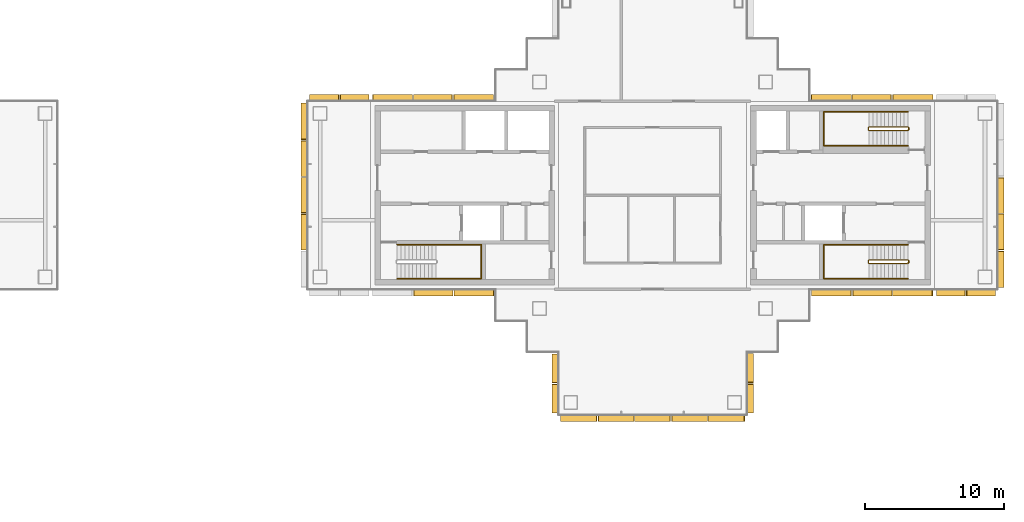
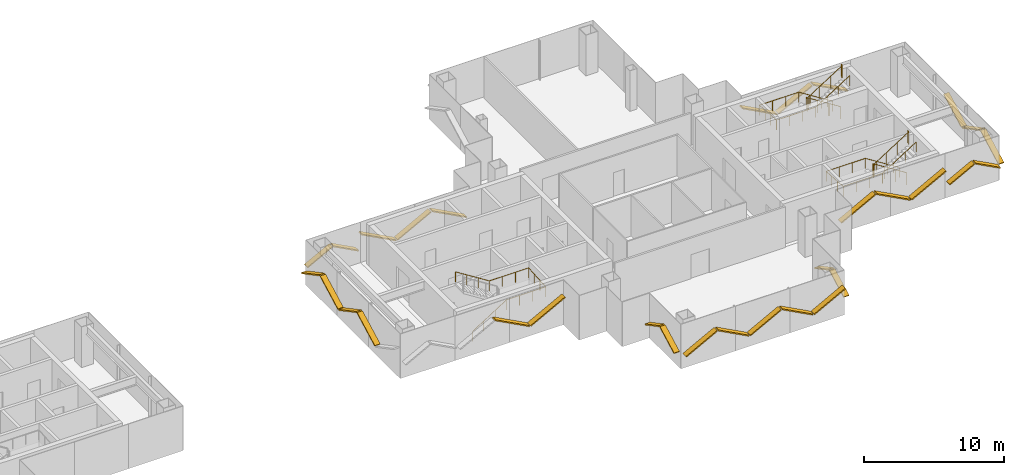
# One storey, part 15 of 17: 31 shading devices, 5 railings.
"""IFC4 building model written with IfcOpenShell, lengths in metres."""

from ifc_helpers import new_model, si_unit, direction, frame, origin, origin_2d, place, context, subcontext, project, spatial, rectangle, circle, extrude, material, material_profile, profile_set, type_object, element, save


model = new_model("IFC4")

# Units and contexts
model_context = context("Model", 3, precision=1e-05, world=origin(), true_north=direction((0.0, 1.0)))
body_context = subcontext(model_context, "Body", "Model", "MODEL_VIEW")
ifc_project = project(units=[si_unit("LENGTHUNIT", "METRE"), si_unit("AREAUNIT", "SQUARE_METRE"), si_unit("VOLUMEUNIT", "CUBIC_METRE"), si_unit("PLANEANGLEUNIT", "RADIAN"), si_unit("MASSUNIT", "GRAM", prefix="KILO")], contexts=[model_context])

# Site, building, storey
site_placement = place(None, origin())
site = spatial("IfcSite", under=ifc_project, at=site_placement, CompositionType="ELEMENT")
building_placement = place(site_placement, origin())
building = spatial("IfcBuilding", under=site, at=building_placement, Name="Shamsa Quay Exchange Towers", CompositionType="ELEMENT")
storey_placement = place(building_placement, frame((0.0, 0.0, 217.800048828125)))
storey = spatial("IfcBuildingStorey", under=building, at=storey_placement, Name="L52", CompositionType="ELEMENT", Elevation=217.800048828125)

# Shading devices
ifc_material_1 = material(Name="Aluminium EN AW-6063 T6, black anodised", Category="aluminium")
ifc_material_profile = material_profile(ifc_material_1, rectangle(XDim=0.449951171875, YDim=0.10009765625, at=origin_2d()), Name="FIN450x100")
ifc_profile_set = profile_set([ifc_material_profile], Name="Aluminium EN AW-6063 T6, black anodised")
shading_device_type = type_object("IfcShadingDeviceType", Name="FIN 450x100 BLACK ALUMINIUM", PredefinedType="USERDEFINED", material=ifc_profile_set)
shading_device_1_placement = place(storey_placement, frame((45.18798828125, -7.01904296875, 0.845703125), z_axis=(0.882964189293, 0.0, 0.469440348102), x_axis=(0.0, 1.0, 0.0)))
element("IfcShadingDevice", 1, at=shading_device_1_placement, inside=storey, type_object=shading_device_type, Name="FIN T2 chevron rib", ObjectType="FIN", PredefinedType="USERDEFINED", context=body_context, shape_type="SweptSolid", body=[
    extrude(rectangle(XDim=0.449951171875, YDim=0.10009765625, at=origin_2d()), origin(), (0.0, 0.0, 1.0), 3.21337890625),
])
shading_device_2_placement = place(storey_placement, frame((48.125244140625, -7.01904296875, 2.341064453125), z_axis=(0.882932416125, 0.0, -0.469500104957), x_axis=(0.0, 1.0, 0.0)))
element("IfcShadingDevice", 2, at=shading_device_2_placement, inside=storey, type_object=shading_device_type, Name="FIN T2 chevron rib", ObjectType="FIN", PredefinedType="USERDEFINED", context=body_context, shape_type="SweptSolid", body=[
    extrude(rectangle(XDim=0.449951171875, YDim=0.10009765625, at=origin_2d()), origin(), (0.0, 0.0, 1.0), 3.156982421875),
])
shading_device_3_placement = place(storey_placement, frame((51.0126953125, -7.01904296875, 0.845703125), z_axis=(0.882964189293, 0.0, 0.469440348102), x_axis=(0.0, 1.0, 0.0)))
element("IfcShadingDevice", 3, at=shading_device_3_placement, inside=storey, type_object=shading_device_type, Name="FIN T2 chevron rib", ObjectType="FIN", PredefinedType="USERDEFINED", context=body_context, shape_type="SweptSolid", body=[
    extrude(rectangle(XDim=0.449951171875, YDim=0.10009765625, at=origin_2d()), origin(), (0.0, 0.0, 1.0), 3.21337890625),
])
for number, where, z_axis, x_axis, name in (
    (4, (54.14990234375, -7.014892578125, 1.054931640625), (0.882937310539, 0.0, 0.469490900507), (0.0, 1.0, 0.0), "FIN T2 chevron rib"),
    (5, (56.300048828125, -7.014892578125, 2.14501953125), (0.882937310539, 0.0, -0.469490900507), (0.0, 1.0, 0.0), "FIN T2 chevron rib"),
):
    element("IfcShadingDevice", number, at=place(storey_placement, frame(where, z_axis=z_axis, x_axis=x_axis)), inside=storey, type_object=shading_device_type, Name=name, ObjectType="FIN", PredefinedType="USERDEFINED", context=body_context, shape_type="SweptSolid", body=[
        extrude(rectangle(XDim=0.449951171875, YDim=0.10009765625, at=origin_2d()), origin(), (0.0, 0.0, 1.0), 2.32177734375),
    ])
shading_device_4_placement = place(storey_placement, frame((58.764892578125, -6.60009765625, 0.911376953125), z_axis=(0.0, 0.882944327895, 0.469477703238), x_axis=(-1.0, 0.0, 0.0)))
element("IfcShadingDevice", 6, at=shading_device_4_placement, inside=storey, type_object=shading_device_type, Name="FIN T2 chevron rib", ObjectType="FIN", PredefinedType="USERDEFINED", context=body_context, shape_type="SweptSolid", body=[
    extrude(rectangle(XDim=0.449951171875, YDim=0.10009765625, at=origin_2d()), origin(), (0.0, 0.0, 1.0), 2.933349609375),
])
shading_device_5_placement = place(storey_placement, frame((58.764892578125, -3.909912109375, 2.275146484375), z_axis=(0.0, 0.882925540975, -0.469513033997), x_axis=(-1.0, 0.0, 0.0)))
element("IfcShadingDevice", 7, at=shading_device_5_placement, inside=storey, type_object=shading_device_type, Name="FIN T2 chevron rib", ObjectType="FIN", PredefinedType="USERDEFINED", context=body_context, shape_type="SweptSolid", body=[
    extrude(rectangle(XDim=0.449951171875, YDim=0.10009765625, at=origin_2d()), origin(), (0.0, 0.0, 1.0), 2.87646484375),
])
shading_device_6_placement = place(storey_placement, frame((58.764892578125, -1.27001953125, 0.924560546875), z_axis=(0.0, 0.882944248312, 0.469477852909), x_axis=(-1.0, 0.0, 0.0)))
element("IfcShadingDevice", 8, at=shading_device_6_placement, inside=storey, type_object=shading_device_type, Name="FIN T2 chevron rib", ObjectType="FIN", PredefinedType="USERDEFINED", context=body_context, shape_type="SweptSolid", body=[
    extrude(rectangle(XDim=0.449951171875, YDim=0.10009765625, at=origin_2d()), origin(), (0.0, 0.0, 1.0), 2.876708984375),
])
shading_device_7_placement = place(storey_placement, frame((53.85009765625, 7.01904296875, 0.84228515625), z_axis=(-0.882953107739, 0.0, 0.469461190658), x_axis=(0.0, -1.0, 0.0)))
element("IfcShadingDevice", 9, at=shading_device_7_placement, inside=storey, type_object=shading_device_type, Name="FIN T2 chevron rib", ObjectType="FIN", PredefinedType="USERDEFINED", context=body_context, shape_type="SweptSolid", body=[
    extrude(rectangle(XDim=0.449951171875, YDim=0.10009765625, at=origin_2d()), origin(), (0.0, 0.0, 1.0), 3.22802734375),
])
shading_device_8_placement = place(storey_placement, frame((50.89990234375, 7.01904296875, 2.34423828125), z_axis=(-0.882936223509, 0.0, -0.469492944799), x_axis=(0.0, -1.0, 0.0)))
element("IfcShadingDevice", 10, at=shading_device_8_placement, inside=storey, type_object=shading_device_type, Name="FIN T2 chevron rib", ObjectType="FIN", PredefinedType="USERDEFINED", context=body_context, shape_type="SweptSolid", body=[
    extrude(rectangle(XDim=0.449951171875, YDim=0.10009765625, at=origin_2d()), origin(), (0.0, 0.0, 1.0), 3.1708984375),
])
shading_device_9_placement = place(storey_placement, frame((48.0, 7.01904296875, 0.84228515625), z_axis=(-0.882953107739, 0.0, 0.469461190658), x_axis=(0.0, -1.0, 0.0)))
element("IfcShadingDevice", 11, at=shading_device_9_placement, inside=storey, type_object=shading_device_type, Name="FIN T2 chevron rib", ObjectType="FIN", PredefinedType="USERDEFINED", context=body_context, shape_type="SweptSolid", body=[
    extrude(rectangle(XDim=0.449951171875, YDim=0.10009765625, at=origin_2d()), origin(), (0.0, 0.0, 1.0), 3.22802734375),
])
shading_device_10_placement = place(storey_placement, frame((22.31201171875, 7.01904296875, 0.845703125), z_axis=(-0.882964189293, 0.0, 0.469440348102), x_axis=(0.0, -1.0, 0.0)))
element("IfcShadingDevice", 12, at=shading_device_10_placement, inside=storey, type_object=shading_device_type, Name="FIN T2 chevron rib", ObjectType="FIN", PredefinedType="USERDEFINED", context=body_context, shape_type="SweptSolid", body=[
    extrude(rectangle(XDim=0.449951171875, YDim=0.10009765625, at=origin_2d()), origin(), (0.0, 0.0, 1.0), 3.21337890625),
])
shading_device_11_placement = place(storey_placement, frame((19.374755859375, 7.01904296875, 2.341064453125), z_axis=(-0.882932416125, 0.0, -0.469500104957), x_axis=(0.0, -1.0, 0.0)))
element("IfcShadingDevice", 13, at=shading_device_11_placement, inside=storey, type_object=shading_device_type, Name="FIN T2 chevron rib", ObjectType="FIN", PredefinedType="USERDEFINED", context=body_context, shape_type="SweptSolid", body=[
    extrude(rectangle(XDim=0.449951171875, YDim=0.10009765625, at=origin_2d()), origin(), (0.0, 0.0, 1.0), 3.156982421875),
])
shading_device_12_placement = place(storey_placement, frame((16.4873046875, 7.01904296875, 0.845703125), z_axis=(-0.882964189293, 0.0, 0.469440348102), x_axis=(0.0, -1.0, 0.0)))
element("IfcShadingDevice", 14, at=shading_device_12_placement, inside=storey, type_object=shading_device_type, Name="FIN T2 chevron rib", ObjectType="FIN", PredefinedType="USERDEFINED", context=body_context, shape_type="SweptSolid", body=[
    extrude(rectangle(XDim=0.449951171875, YDim=0.10009765625, at=origin_2d()), origin(), (0.0, 0.0, 1.0), 3.21337890625),
])
for number, where, z_axis, x_axis, name in (
    (15, (13.35009765625, 7.014892578125, 1.054931640625), (-0.882937310539, 0.0, 0.469490900507), (0.0, -1.0, 0.0), "FIN T2 chevron rib"),
    (16, (11.199951171875, 7.014892578125, 2.14501953125), (-0.882937310539, 0.0, -0.469490900507), (0.0, -1.0, 0.0), "FIN T2 chevron rib"),
):
    element("IfcShadingDevice", number, at=place(storey_placement, frame(where, z_axis=z_axis, x_axis=x_axis)), inside=storey, type_object=shading_device_type, Name=name, ObjectType="FIN", PredefinedType="USERDEFINED", context=body_context, shape_type="SweptSolid", body=[
        extrude(rectangle(XDim=0.449951171875, YDim=0.10009765625, at=origin_2d()), origin(), (0.0, 0.0, 1.0), 2.32177734375),
    ])
shading_device_13_placement = place(storey_placement, frame((8.735107421875, 6.60009765625, 0.911376953125), z_axis=(0.0, -0.882944327895, 0.469477703238), x_axis=(1.0, 0.0, 0.0)))
element("IfcShadingDevice", 17, at=shading_device_13_placement, inside=storey, type_object=shading_device_type, Name="FIN T2 chevron rib", ObjectType="FIN", PredefinedType="USERDEFINED", context=body_context, shape_type="SweptSolid", body=[
    extrude(rectangle(XDim=0.449951171875, YDim=0.10009765625, at=origin_2d()), origin(), (0.0, 0.0, 1.0), 2.933349609375),
])
shading_device_14_placement = place(storey_placement, frame((8.735107421875, 3.909912109375, 2.275146484375), z_axis=(0.0, -0.882925540975, -0.469513033997), x_axis=(1.0, 0.0, 0.0)))
element("IfcShadingDevice", 18, at=shading_device_14_placement, inside=storey, type_object=shading_device_type, Name="FIN T2 chevron rib", ObjectType="FIN", PredefinedType="USERDEFINED", context=body_context, shape_type="SweptSolid", body=[
    extrude(rectangle(XDim=0.449951171875, YDim=0.10009765625, at=origin_2d()), origin(), (0.0, 0.0, 1.0), 2.87646484375),
])
shading_device_15_placement = place(storey_placement, frame((8.735107421875, 1.27001953125, 0.924560546875), z_axis=(0.0, -0.882944248312, 0.469477852909), x_axis=(1.0, 0.0, 0.0)))
element("IfcShadingDevice", 19, at=shading_device_15_placement, inside=storey, type_object=shading_device_type, Name="FIN T2 chevron rib", ObjectType="FIN", PredefinedType="USERDEFINED", context=body_context, shape_type="SweptSolid", body=[
    extrude(rectangle(XDim=0.449951171875, YDim=0.10009765625, at=origin_2d()), origin(), (0.0, 0.0, 1.0), 2.876708984375),
])
shading_device_16_placement = place(storey_placement, frame((8.735107421875, -1.3701171875, 2.275146484375), z_axis=(0.0, -0.882925540975, -0.469513033997), x_axis=(1.0, 0.0, 0.0)))
element("IfcShadingDevice", 20, at=shading_device_16_placement, inside=storey, type_object=shading_device_type, Name="FIN T2 chevron rib", ObjectType="FIN", PredefinedType="USERDEFINED", context=body_context, shape_type="SweptSolid", body=[
    extrude(rectangle(XDim=0.449951171875, YDim=0.10009765625, at=origin_2d()), origin(), (0.0, 0.0, 1.0), 2.87646484375),
])
shading_device_17_placement = place(storey_placement, frame((16.60009765625, -7.01904296875, 2.34423828125), z_axis=(0.882936223509, 0.0, -0.469492944799), x_axis=(0.0, 1.0, 0.0)))
element("IfcShadingDevice", 21, at=shading_device_17_placement, inside=storey, type_object=shading_device_type, Name="FIN T2 chevron rib", ObjectType="FIN", PredefinedType="USERDEFINED", context=body_context, shape_type="SweptSolid", body=[
    extrude(rectangle(XDim=0.449951171875, YDim=0.10009765625, at=origin_2d()), origin(), (0.0, 0.0, 1.0), 3.1708984375),
])
shading_device_18_placement = place(storey_placement, frame((19.5, -7.01904296875, 0.84228515625), z_axis=(0.882953107739, 0.0, 0.469461190658), x_axis=(0.0, 1.0, 0.0)))
element("IfcShadingDevice", 22, at=shading_device_18_placement, inside=storey, type_object=shading_device_type, Name="FIN T2 chevron rib", ObjectType="FIN", PredefinedType="USERDEFINED", context=body_context, shape_type="SweptSolid", body=[
    extrude(rectangle(XDim=0.449951171875, YDim=0.10009765625, at=origin_2d()), origin(), (0.0, 0.0, 1.0), 3.22802734375),
])
for number, where, z_axis, x_axis, name in (
    (23, (26.735107421875, -11.43798828125, 1.06005859375), (0.0, -0.882960384929, 0.469447503611), (1.0, 0.0, 0.0), "FIN T2 chevron rib"),
    (24, (26.735107421875, -13.569091796875, 2.139892578125), (0.0, -0.882960384929, -0.469447503611), (1.0, 0.0, 0.0), "FIN T2 chevron rib"),
):
    element("IfcShadingDevice", number, at=place(storey_placement, frame(where, z_axis=z_axis, x_axis=x_axis)), inside=storey, type_object=shading_device_type, Name=name, ObjectType="FIN", PredefinedType="USERDEFINED", context=body_context, shape_type="SweptSolid", body=[
        extrude(rectangle(XDim=0.449951171875, YDim=0.10009765625, at=origin_2d()), origin(), (0.0, 0.0, 1.0), 2.30029296875),
    ])
shading_device_19_placement = place(storey_placement, frame((27.14990234375, -16.014892578125, 0.911376953125), z_axis=(0.882944327895, 0.0, 0.469477703238), x_axis=(0.0, 1.0, 0.0)))
element("IfcShadingDevice", 25, at=shading_device_19_placement, inside=storey, type_object=shading_device_type, Name="FIN T2 chevron rib", ObjectType="FIN", PredefinedType="USERDEFINED", context=body_context, shape_type="SweptSolid", body=[
    extrude(rectangle(XDim=0.449951171875, YDim=0.10009765625, at=origin_2d()), origin(), (0.0, 0.0, 1.0), 2.933349609375),
])
shading_device_20_placement = place(storey_placement, frame((29.840087890625, -16.014892578125, 2.275146484375), z_axis=(0.882925540975, 0.0, -0.469513033997), x_axis=(0.0, 1.0, 0.0)))
element("IfcShadingDevice", 26, at=shading_device_20_placement, inside=storey, type_object=shading_device_type, Name="FIN T2 chevron rib", ObjectType="FIN", PredefinedType="USERDEFINED", context=body_context, shape_type="SweptSolid", body=[
    extrude(rectangle(XDim=0.449951171875, YDim=0.10009765625, at=origin_2d()), origin(), (0.0, 0.0, 1.0), 2.87646484375),
])
shading_device_21_placement = place(storey_placement, frame((32.47998046875, -16.014892578125, 0.924560546875), z_axis=(0.882944248312, 0.0, 0.469477852909), x_axis=(0.0, 1.0, 0.0)))
element("IfcShadingDevice", 27, at=shading_device_21_placement, inside=storey, type_object=shading_device_type, Name="FIN T2 chevron rib", ObjectType="FIN", PredefinedType="USERDEFINED", context=body_context, shape_type="SweptSolid", body=[
    extrude(rectangle(XDim=0.449951171875, YDim=0.10009765625, at=origin_2d()), origin(), (0.0, 0.0, 1.0), 2.876708984375),
])
shading_device_22_placement = place(storey_placement, frame((35.1201171875, -16.014892578125, 2.275146484375), z_axis=(0.882925540975, 0.0, -0.469513033997), x_axis=(0.0, 1.0, 0.0)))
element("IfcShadingDevice", 28, at=shading_device_22_placement, inside=storey, type_object=shading_device_type, Name="FIN T2 chevron rib", ObjectType="FIN", PredefinedType="USERDEFINED", context=body_context, shape_type="SweptSolid", body=[
    extrude(rectangle(XDim=0.449951171875, YDim=0.10009765625, at=origin_2d()), origin(), (0.0, 0.0, 1.0), 2.87646484375),
])
shading_device_23_placement = place(storey_placement, frame((37.760009765625, -16.014892578125, 0.911376953125), z_axis=(0.882944327895, 0.0, 0.469477703238), x_axis=(0.0, 1.0, 0.0)))
element("IfcShadingDevice", 29, at=shading_device_23_placement, inside=storey, type_object=shading_device_type, Name="FIN T2 chevron rib", ObjectType="FIN", PredefinedType="USERDEFINED", context=body_context, shape_type="SweptSolid", body=[
    extrude(rectangle(XDim=0.449951171875, YDim=0.10009765625, at=origin_2d()), origin(), (0.0, 0.0, 1.0), 2.933349609375),
])
for number, where, z_axis, x_axis, name in (
    (30, (40.764892578125, -15.60009765625, 1.054931640625), (0.0, 0.882937310539, 0.469490900507), (-1.0, 0.0, 0.0), "FIN T2 chevron rib"),
    (31, (40.764892578125, -13.449951171875, 2.14501953125), (0.0, 0.882937310539, -0.469490900507), (-1.0, 0.0, 0.0), "FIN T2 chevron rib"),
):
    element("IfcShadingDevice", number, at=place(storey_placement, frame(where, z_axis=z_axis, x_axis=x_axis)), inside=storey, type_object=shading_device_type, Name=name, ObjectType="FIN", PredefinedType="USERDEFINED", context=body_context, shape_type="SweptSolid", body=[
        extrude(rectangle(XDim=0.449951171875, YDim=0.10009765625, at=origin_2d()), origin(), (0.0, 0.0, 1.0), 2.32177734375),
    ])

# Railings
ifc_material_2 = material(Name="Stainless steel", Category="steel")
railing_type_1 = type_object("IfcRailingType", Name="STAIR GUARD 1100", PredefinedType="GUARDRAIL", material=ifc_material_2)
railing_1_placement = place(storey_placement, frame((52.10009765625, -4.64990234375, 0.17724609375)))
element("IfcRailing", 32, at=railing_1_placement, inside=storey, type_object=railing_type_1, Name="L52 ST5 stair guard 1", PredefinedType="GUARDRAIL", context=body_context, shape_type="SweptSolid", body=[
    extrude(circle(Radius=0.02392578125, at=origin_2d()), frame((0.0, 0.0, 1.076171875), z_axis=(-0.844908973607, 0.0, 0.534910110503), x_axis=(0.0, -1.0, 0.0)), (0.0, 0.0, 1.0), 3.31396484375),
    extrude(circle(Radius=0.02392578125, at=origin_2d()), frame((-2.800048828125, 0.0, 2.8486328125), z_axis=(-0.707106781187, -0.707106781187, 0.0), x_axis=(0.707106781187, -0.707106781187, 0.0)), (0.0, 0.0, 1.0), 0.07080078125),
    extrude(circle(Radius=0.02392578125, at=origin_2d()), frame((-2.85009765625, -0.050048828125, 2.8486328125), z_axis=(0.0, -1.0, 0.0), x_axis=(1.0, 0.0, 0.0)), (0.0, 0.0, 1.0), 0.150146484375),
    extrude(circle(Radius=0.02392578125, at=origin_2d()), frame((-2.85009765625, -0.2001953125, 2.8486328125), z_axis=(0.262321481514, -0.261041864531, 0.929001929653), x_axis=(0.705375805398, 0.708833529934, 0.0)), (0.0, 0.0, 1.0), 0.190673828125),
    extrude(circle(Radius=0.02392578125, at=origin_2d()), frame((-2.800048828125, -0.25, 3.02587890625), z_axis=(0.844908973607, 0.0, 0.534910110503), x_axis=(0.0, 1.0, 0.0)), (0.0, 0.0, 1.0), 3.31396484375),
    extrude(circle(Radius=0.02392578125, at=origin_2d()), frame((0.0, -0.25, 4.798828125), z_axis=(0.241699205484, 0.970351222016, 0.0), x_axis=(-0.970351222016, 0.241699205484, 0.0)), (0.0, 0.0, 1.0), 0.2060546875),
    extrude(circle(Radius=0.02392578125, at=origin_2d()), frame((0.0498046875, -0.050048828125, 4.798828125), z_axis=(0.0, -1.0, 0.0), x_axis=(1.0, 0.0, 0.0)), (0.0, 0.0, 1.0), 0.150146484375),
    extrude(circle(Radius=0.02099609375, at=origin_2d()), origin(), (0.0, 0.0, 1.0), 1.052001953125),
    extrude(circle(Radius=0.02099609375, at=origin_2d()), frame((-0.933349609375, 0.0, 0.5908203125)), (0.0, 0.0, 1.0), 1.052001953125),
    extrude(circle(Radius=0.02099609375, at=origin_2d()), frame((-1.86669921875, 0.0, 1.181884765625)), (0.0, 0.0, 1.0), 1.052001953125),
    extrude(circle(Radius=0.02099609375, at=origin_2d()), frame((-2.800048828125, 0.0, 1.772705078125)), (0.0, 0.0, 1.0), 1.052001953125),
    extrude(circle(Radius=0.02099609375, at=origin_2d()), frame((-2.85009765625, -0.050048828125, 1.772705078125)), (0.0, 0.0, 1.0), 1.052001953125),
    extrude(circle(Radius=0.02099609375, at=origin_2d()), frame((-2.85009765625, -0.2001953125, 1.772705078125)), (0.0, 0.0, 1.0), 1.052001953125),
    extrude(circle(Radius=0.02099609375, at=origin_2d()), frame((-2.800048828125, -0.25, 1.949951171875)), (0.0, 0.0, 1.0), 1.052001953125),
    extrude(circle(Radius=0.02099609375, at=origin_2d()), frame((-1.86669921875, -0.25, 2.540771484375)), (0.0, 0.0, 1.0), 1.052001953125),
    extrude(circle(Radius=0.02099609375, at=origin_2d()), frame((-0.933349609375, -0.25, 3.1318359375)), (0.0, 0.0, 1.0), 1.052001953125),
    extrude(circle(Radius=0.02099609375, at=origin_2d()), frame((0.0, -0.25, 3.72265625)), (0.0, 0.0, 1.0), 1.052001953125),
    extrude(circle(Radius=0.02099609375, at=origin_2d()), frame((0.0498046875, -0.050048828125, 3.72265625)), (0.0, 0.0, 1.0), 1.052001953125),
    extrude(circle(Radius=0.02099609375, at=origin_2d()), frame((0.0498046875, -0.2001953125, 3.72265625)), (0.0, 0.0, 1.0), 1.052001953125),
])
railing_2_placement = place(storey_placement, frame((52.10009765625, 4.89990234375, 0.17724609375)))
element("IfcRailing", 33, at=railing_2_placement, inside=storey, type_object=railing_type_1, Name="L52 ST6 stair guard 1", PredefinedType="GUARDRAIL", context=body_context, shape_type="SweptSolid", body=[
    extrude(circle(Radius=0.02392578125, at=origin_2d()), frame((0.0, 0.0, 1.076171875), z_axis=(-0.844908973607, 0.0, 0.534910110503), x_axis=(0.0, -1.0, 0.0)), (0.0, 0.0, 1.0), 3.31396484375),
    extrude(circle(Radius=0.02392578125, at=origin_2d()), frame((-2.800048828125, 0.0, 2.8486328125), z_axis=(-0.708833529934, -0.705375805398, 0.0), x_axis=(0.705375805398, -0.708833529934, 0.0)), (0.0, 0.0, 1.0), 0.070556640625),
    extrude(circle(Radius=0.02392578125, at=origin_2d()), frame((-2.85009765625, -0.0498046875, 2.8486328125), z_axis=(0.0, -1.0, 0.0), x_axis=(1.0, 0.0, 0.0)), (0.0, 0.0, 1.0), 0.150146484375),
    extrude(circle(Radius=0.02392578125, at=origin_2d()), frame((-2.85009765625, -0.199951171875, 2.8486328125), z_axis=(0.262233686654, -0.262233686654, 0.928691007369), x_axis=(0.707106781187, 0.707106781187, 0.0)), (0.0, 0.0, 1.0), 0.19091796875),
    extrude(circle(Radius=0.02392578125, at=origin_2d()), frame((-2.800048828125, -0.25, 3.02587890625), z_axis=(0.844908973607, 0.0, 0.534910110503), x_axis=(0.0, 1.0, 0.0)), (0.0, 0.0, 1.0), 3.31396484375),
    extrude(circle(Radius=0.02392578125, at=origin_2d()), frame((0.0, -0.25, 4.798828125), z_axis=(0.24142163986, 0.970420317083, 0.0), x_axis=(-0.970420317083, 0.24142163986, 0.0)), (0.0, 0.0, 1.0), 0.206298828125),
    extrude(circle(Radius=0.02392578125, at=origin_2d()), frame((0.0498046875, -0.0498046875, 4.798828125), z_axis=(0.0, -1.0, 0.0), x_axis=(1.0, 0.0, 0.0)), (0.0, 0.0, 1.0), 0.150146484375),
    extrude(circle(Radius=0.02099609375, at=origin_2d()), origin(), (0.0, 0.0, 1.0), 1.052001953125),
    extrude(circle(Radius=0.02099609375, at=origin_2d()), frame((-0.933349609375, 0.0, 0.5908203125)), (0.0, 0.0, 1.0), 1.052001953125),
    extrude(circle(Radius=0.02099609375, at=origin_2d()), frame((-1.86669921875, 0.0, 1.181884765625)), (0.0, 0.0, 1.0), 1.052001953125),
    extrude(circle(Radius=0.02099609375, at=origin_2d()), frame((-2.800048828125, 0.0, 1.772705078125)), (0.0, 0.0, 1.0), 1.052001953125),
    extrude(circle(Radius=0.02099609375, at=origin_2d()), frame((-2.85009765625, -0.0498046875, 1.772705078125)), (0.0, 0.0, 1.0), 1.052001953125),
    extrude(circle(Radius=0.02099609375, at=origin_2d()), frame((-2.85009765625, -0.199951171875, 1.772705078125)), (0.0, 0.0, 1.0), 1.052001953125),
    extrude(circle(Radius=0.02099609375, at=origin_2d()), frame((-2.800048828125, -0.25, 1.949951171875)), (0.0, 0.0, 1.0), 1.052001953125),
    extrude(circle(Radius=0.02099609375, at=origin_2d()), frame((-1.86669921875, -0.25, 2.540771484375)), (0.0, 0.0, 1.0), 1.052001953125),
    extrude(circle(Radius=0.02099609375, at=origin_2d()), frame((-0.933349609375, -0.25, 3.1318359375)), (0.0, 0.0, 1.0), 1.052001953125),
    extrude(circle(Radius=0.02099609375, at=origin_2d()), frame((0.0, -0.25, 3.72265625)), (0.0, 0.0, 1.0), 1.052001953125),
    extrude(circle(Radius=0.02099609375, at=origin_2d()), frame((0.0498046875, -0.0498046875, 3.72265625)), (0.0, 0.0, 1.0), 1.052001953125),
    extrude(circle(Radius=0.02099609375, at=origin_2d()), frame((0.0498046875, -0.199951171875, 3.72265625)), (0.0, 0.0, 1.0), 1.052001953125),
])
railing_type_2 = type_object("IfcRailingType", Name="STAIR HANDRAIL 900", PredefinedType="HANDRAIL", material=ifc_material_2)
railing_3_placement = place(storey_placement, frame((15.39990234375, -6.0, 0.17724609375)))
element("IfcRailing", 34, at=railing_3_placement, inside=storey, type_object=railing_type_2, Name="L52 ST4 stair handrail 1", PredefinedType="HANDRAIL", context=body_context, shape_type="SweptSolid", body=[
    extrude(circle(Radius=0.02392578125, at=origin_2d()), frame((0.0, 0.0, 0.8759765625), z_axis=(0.844908973607, 0.0, 0.534910110503), x_axis=(0.0, 1.0, 0.0)), (0.0, 0.0, 1.0), 3.31396484375),
    extrude(circle(Radius=0.02392578125, at=origin_2d()), frame((2.800048828125, 0.0, 2.6484375), z_axis=(1.0, 0.0, 0.0), x_axis=(0.0, 1.0, 0.0)), (0.0, 0.0, 1.0), 3.25),
    extrude(circle(Radius=0.02392578125, at=origin_2d()), frame((6.050048828125, 0.0, 2.6484375), z_axis=(0.0, 0.997393199914, 0.07215819264), x_axis=(-1.0, 0.0, 0.0)), (0.0, 0.0, 1.0), 2.456298828125),
    extrude(circle(Radius=0.02392578125, at=origin_2d()), frame((6.050048828125, 2.449951171875, 2.82568359375), z_axis=(-1.0, 0.0, 0.0), x_axis=(0.0, -1.0, 0.0)), (0.0, 0.0, 1.0), 3.25),
    extrude(circle(Radius=0.02392578125, at=origin_2d()), frame((2.800048828125, 2.449951171875, 2.82568359375), z_axis=(-0.844908973607, 0.0, 0.534910110503), x_axis=(0.0, -1.0, 0.0)), (0.0, 0.0, 1.0), 3.31396484375),
    extrude(circle(Radius=0.02099609375, at=origin_2d()), origin(), (0.0, 0.0, 1.0), 0.851806640625),
    extrude(circle(Radius=0.02099609375, at=origin_2d()), frame((0.933349609375, 0.0, 0.5908203125)), (0.0, 0.0, 1.0), 0.851806640625),
    extrude(circle(Radius=0.02099609375, at=origin_2d()), frame((1.86669921875, 0.0, 1.181884765625)), (0.0, 0.0, 1.0), 0.851806640625),
    extrude(circle(Radius=0.02099609375, at=origin_2d()), frame((2.800048828125, 0.0, 1.772705078125)), (0.0, 0.0, 1.0), 0.851806640625),
    extrude(circle(Radius=0.02099609375, at=origin_2d()), frame((3.88330078125, 0.0, 1.772705078125)), (0.0, 0.0, 1.0), 0.851806640625),
    extrude(circle(Radius=0.02099609375, at=origin_2d()), frame((4.966796875, 0.0, 1.772705078125)), (0.0, 0.0, 1.0), 0.851806640625),
    extrude(circle(Radius=0.02099609375, at=origin_2d()), frame((6.050048828125, 0.0, 1.772705078125)), (0.0, 0.0, 1.0), 0.851806640625),
    extrude(circle(Radius=0.02099609375, at=origin_2d()), frame((6.050048828125, 0.816650390625, 1.831787109375)), (0.0, 0.0, 1.0), 0.851806640625),
    extrude(circle(Radius=0.02099609375, at=origin_2d()), frame((6.050048828125, 1.63330078125, 1.890869140625)), (0.0, 0.0, 1.0), 0.851806640625),
    extrude(circle(Radius=0.02099609375, at=origin_2d()), frame((6.050048828125, 2.449951171875, 1.949951171875)), (0.0, 0.0, 1.0), 0.851806640625),
    extrude(circle(Radius=0.02099609375, at=origin_2d()), frame((4.966796875, 2.449951171875, 1.949951171875)), (0.0, 0.0, 1.0), 0.851806640625),
    extrude(circle(Radius=0.02099609375, at=origin_2d()), frame((3.88330078125, 2.449951171875, 1.949951171875)), (0.0, 0.0, 1.0), 0.851806640625),
    extrude(circle(Radius=0.02099609375, at=origin_2d()), frame((2.800048828125, 2.449951171875, 1.949951171875)), (0.0, 0.0, 1.0), 0.851806640625),
    extrude(circle(Radius=0.02099609375, at=origin_2d()), frame((1.86669921875, 2.449951171875, 2.540771484375)), (0.0, 0.0, 1.0), 0.851806640625),
    extrude(circle(Radius=0.02099609375, at=origin_2d()), frame((0.933349609375, 2.449951171875, 3.1318359375)), (0.0, 0.0, 1.0), 0.851806640625),
    extrude(circle(Radius=0.02099609375, at=origin_2d()), frame((0.0, 2.449951171875, 3.72265625)), (0.0, 0.0, 1.0), 0.851806640625),
])
railing_4_placement = place(storey_placement, frame((52.10009765625, -3.550048828125, 0.17724609375)))
element("IfcRailing", 35, at=railing_4_placement, inside=storey, type_object=railing_type_2, Name="L52 ST5 stair handrail 1", PredefinedType="HANDRAIL", context=body_context, shape_type="SweptSolid", body=[
    extrude(circle(Radius=0.02392578125, at=origin_2d()), frame((0.0, 0.0, 0.8759765625), z_axis=(-0.844908973607, 0.0, 0.534910110503), x_axis=(0.0, -1.0, 0.0)), (0.0, 0.0, 1.0), 3.31396484375),
    extrude(circle(Radius=0.02392578125, at=origin_2d()), frame((-2.800048828125, 0.0, 2.6484375), z_axis=(-1.0, 0.0, 0.0), x_axis=(0.0, -1.0, 0.0)), (0.0, 0.0, 1.0), 3.25),
    extrude(circle(Radius=0.02392578125, at=origin_2d()), frame((-6.050048828125, 0.0, 2.6484375), z_axis=(0.0, -0.997393199914, 0.07215819264), x_axis=(1.0, 0.0, 0.0)), (0.0, 0.0, 1.0), 2.456298828125),
    extrude(circle(Radius=0.02392578125, at=origin_2d()), frame((-6.050048828125, -2.449951171875, 2.82568359375), z_axis=(1.0, 0.0, 0.0), x_axis=(0.0, 1.0, 0.0)), (0.0, 0.0, 1.0), 3.25),
    extrude(circle(Radius=0.02392578125, at=origin_2d()), frame((-2.800048828125, -2.449951171875, 2.82568359375), z_axis=(0.844908973607, 0.0, 0.534910110503), x_axis=(0.0, 1.0, 0.0)), (0.0, 0.0, 1.0), 3.31396484375),
    extrude(circle(Radius=0.02099609375, at=origin_2d()), origin(), (0.0, 0.0, 1.0), 0.851806640625),
    extrude(circle(Radius=0.02099609375, at=origin_2d()), frame((-0.933349609375, 0.0, 0.5908203125)), (0.0, 0.0, 1.0), 0.851806640625),
    extrude(circle(Radius=0.02099609375, at=origin_2d()), frame((-1.86669921875, 0.0, 1.181884765625)), (0.0, 0.0, 1.0), 0.851806640625),
    extrude(circle(Radius=0.02099609375, at=origin_2d()), frame((-2.800048828125, 0.0, 1.772705078125)), (0.0, 0.0, 1.0), 0.851806640625),
    extrude(circle(Radius=0.02099609375, at=origin_2d()), frame((-3.88330078125, 0.0, 1.772705078125)), (0.0, 0.0, 1.0), 0.851806640625),
    extrude(circle(Radius=0.02099609375, at=origin_2d()), frame((-4.966796875, 0.0, 1.772705078125)), (0.0, 0.0, 1.0), 0.851806640625),
    extrude(circle(Radius=0.02099609375, at=origin_2d()), frame((-6.050048828125, 0.0, 1.772705078125)), (0.0, 0.0, 1.0), 0.851806640625),
    extrude(circle(Radius=0.02099609375, at=origin_2d()), frame((-6.050048828125, -0.816650390625, 1.831787109375)), (0.0, 0.0, 1.0), 0.851806640625),
    extrude(circle(Radius=0.02099609375, at=origin_2d()), frame((-6.050048828125, -1.63330078125, 1.890869140625)), (0.0, 0.0, 1.0), 0.851806640625),
    extrude(circle(Radius=0.02099609375, at=origin_2d()), frame((-6.050048828125, -2.449951171875, 1.949951171875)), (0.0, 0.0, 1.0), 0.851806640625),
    extrude(circle(Radius=0.02099609375, at=origin_2d()), frame((-4.966796875, -2.449951171875, 1.949951171875)), (0.0, 0.0, 1.0), 0.851806640625),
    extrude(circle(Radius=0.02099609375, at=origin_2d()), frame((-3.88330078125, -2.449951171875, 1.949951171875)), (0.0, 0.0, 1.0), 0.851806640625),
    extrude(circle(Radius=0.02099609375, at=origin_2d()), frame((-2.800048828125, -2.449951171875, 1.949951171875)), (0.0, 0.0, 1.0), 0.851806640625),
    extrude(circle(Radius=0.02099609375, at=origin_2d()), frame((-1.86669921875, -2.449951171875, 2.540771484375)), (0.0, 0.0, 1.0), 0.851806640625),
    extrude(circle(Radius=0.02099609375, at=origin_2d()), frame((-0.933349609375, -2.449951171875, 3.1318359375)), (0.0, 0.0, 1.0), 0.851806640625),
    extrude(circle(Radius=0.02099609375, at=origin_2d()), frame((0.0, -2.449951171875, 3.72265625)), (0.0, 0.0, 1.0), 0.851806640625),
])
railing_5_placement = place(storey_placement, frame((52.10009765625, 6.0, 0.17724609375)))
element("IfcRailing", 36, at=railing_5_placement, inside=storey, type_object=railing_type_2, Name="L52 ST6 stair handrail 1", PredefinedType="HANDRAIL", context=body_context, shape_type="SweptSolid", body=[
    extrude(circle(Radius=0.02392578125, at=origin_2d()), frame((0.0, 0.0, 0.8759765625), z_axis=(-0.844908973607, 0.0, 0.534910110503), x_axis=(0.0, -1.0, 0.0)), (0.0, 0.0, 1.0), 3.31396484375),
    extrude(circle(Radius=0.02392578125, at=origin_2d()), frame((-2.800048828125, 0.0, 2.6484375), z_axis=(-1.0, 0.0, 0.0), x_axis=(0.0, -1.0, 0.0)), (0.0, 0.0, 1.0), 3.25),
    extrude(circle(Radius=0.02392578125, at=origin_2d()), frame((-6.050048828125, 0.0, 2.6484375), z_axis=(0.0, -0.997393199914, 0.07215819264), x_axis=(1.0, 0.0, 0.0)), (0.0, 0.0, 1.0), 2.456298828125),
    extrude(circle(Radius=0.02392578125, at=origin_2d()), frame((-6.050048828125, -2.449951171875, 2.82568359375), z_axis=(1.0, 0.0, 0.0), x_axis=(0.0, 1.0, 0.0)), (0.0, 0.0, 1.0), 3.25),
    extrude(circle(Radius=0.02392578125, at=origin_2d()), frame((-2.800048828125, -2.449951171875, 2.82568359375), z_axis=(0.844908973607, 0.0, 0.534910110503), x_axis=(0.0, 1.0, 0.0)), (0.0, 0.0, 1.0), 3.31396484375),
    extrude(circle(Radius=0.02099609375, at=origin_2d()), origin(), (0.0, 0.0, 1.0), 0.851806640625),
    extrude(circle(Radius=0.02099609375, at=origin_2d()), frame((-0.933349609375, 0.0, 0.5908203125)), (0.0, 0.0, 1.0), 0.851806640625),
    extrude(circle(Radius=0.02099609375, at=origin_2d()), frame((-1.86669921875, 0.0, 1.181884765625)), (0.0, 0.0, 1.0), 0.851806640625),
    extrude(circle(Radius=0.02099609375, at=origin_2d()), frame((-2.800048828125, 0.0, 1.772705078125)), (0.0, 0.0, 1.0), 0.851806640625),
    extrude(circle(Radius=0.02099609375, at=origin_2d()), frame((-3.88330078125, 0.0, 1.772705078125)), (0.0, 0.0, 1.0), 0.851806640625),
    extrude(circle(Radius=0.02099609375, at=origin_2d()), frame((-4.966796875, 0.0, 1.772705078125)), (0.0, 0.0, 1.0), 0.851806640625),
    extrude(circle(Radius=0.02099609375, at=origin_2d()), frame((-6.050048828125, 0.0, 1.772705078125)), (0.0, 0.0, 1.0), 0.851806640625),
    extrude(circle(Radius=0.02099609375, at=origin_2d()), frame((-6.050048828125, -0.816650390625, 1.831787109375)), (0.0, 0.0, 1.0), 0.851806640625),
    extrude(circle(Radius=0.02099609375, at=origin_2d()), frame((-6.050048828125, -1.63330078125, 1.890869140625)), (0.0, 0.0, 1.0), 0.851806640625),
    extrude(circle(Radius=0.02099609375, at=origin_2d()), frame((-6.050048828125, -2.449951171875, 1.949951171875)), (0.0, 0.0, 1.0), 0.851806640625),
    extrude(circle(Radius=0.02099609375, at=origin_2d()), frame((-4.966796875, -2.449951171875, 1.949951171875)), (0.0, 0.0, 1.0), 0.851806640625),
    extrude(circle(Radius=0.02099609375, at=origin_2d()), frame((-3.88330078125, -2.449951171875, 1.949951171875)), (0.0, 0.0, 1.0), 0.851806640625),
    extrude(circle(Radius=0.02099609375, at=origin_2d()), frame((-2.800048828125, -2.449951171875, 1.949951171875)), (0.0, 0.0, 1.0), 0.851806640625),
    extrude(circle(Radius=0.02099609375, at=origin_2d()), frame((-1.86669921875, -2.449951171875, 2.540771484375)), (0.0, 0.0, 1.0), 0.851806640625),
    extrude(circle(Radius=0.02099609375, at=origin_2d()), frame((-0.933349609375, -2.449951171875, 3.1318359375)), (0.0, 0.0, 1.0), 0.851806640625),
    extrude(circle(Radius=0.02099609375, at=origin_2d()), frame((0.0, -2.449951171875, 3.72265625)), (0.0, 0.0, 1.0), 0.851806640625),
])

save(model, "model.ifc")
